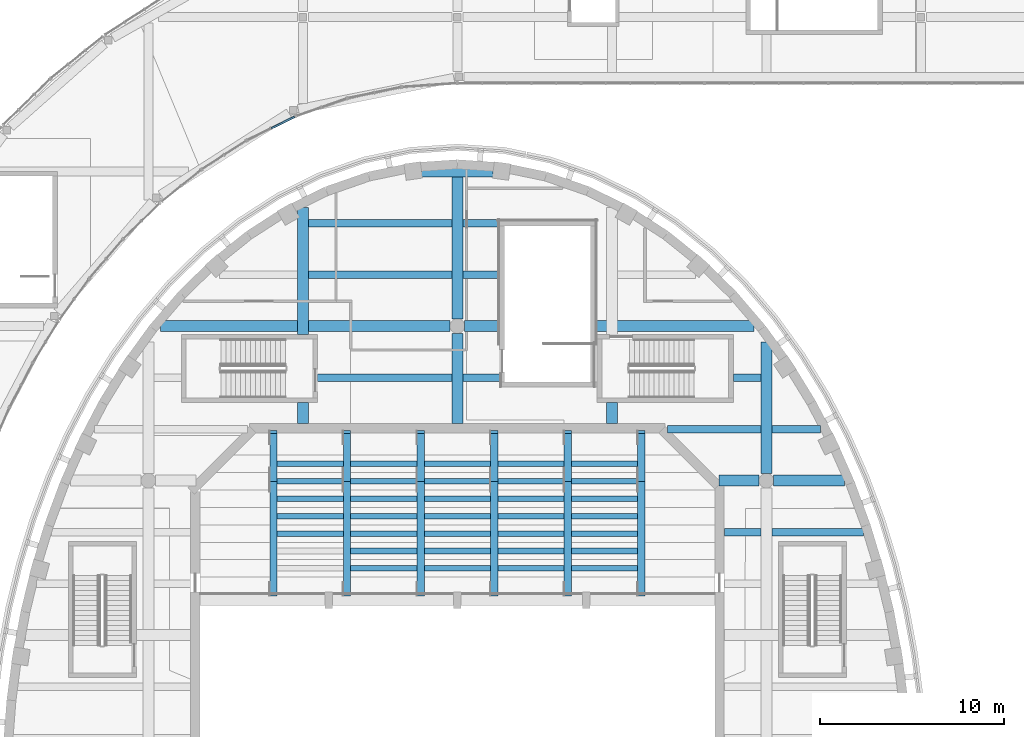
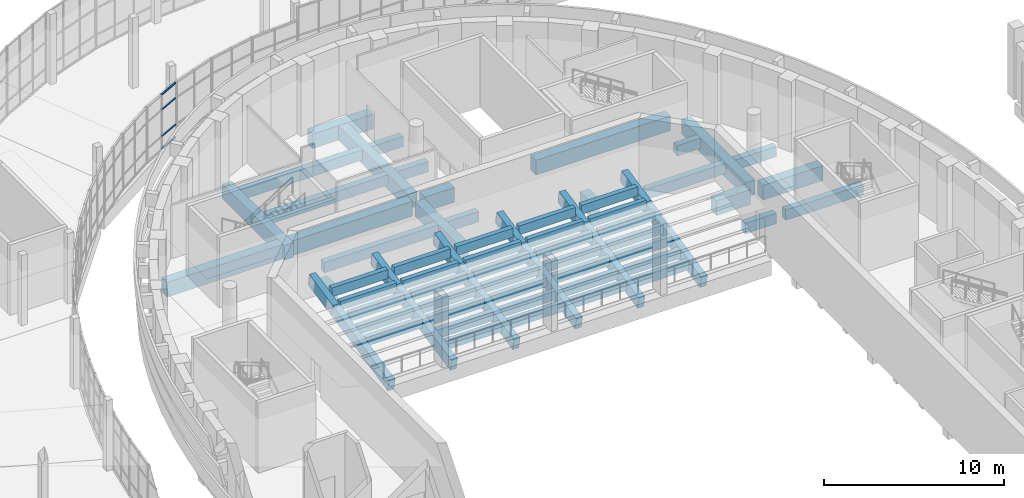
# One storey, part 22 of 103: 68 beams, 4 members, 1 element without a shape of its own.
"""IFC4 building model written with IfcOpenShell, lengths in metres."""

from ifc_helpers import new_model, si_unit, direction, frame, origin, origin_2d, place, context, subcontext, project, spatial, rectangle, extrude, material, layer, layer_set, material_profile, profile_set, type_object, element, aggregate, save


model = new_model("IFC4")

# Units and contexts
model_context = context("Model", 3, precision=1e-05, world=origin(), true_north=direction((0.0, 1.0)))
body_context = subcontext(model_context, "Body", "Model", "MODEL_VIEW")
ifc_project = project(units=[si_unit("LENGTHUNIT", "METRE"), si_unit("AREAUNIT", "SQUARE_METRE"), si_unit("VOLUMEUNIT", "CUBIC_METRE"), si_unit("PLANEANGLEUNIT", "RADIAN"), si_unit("MASSUNIT", "GRAM", prefix="KILO")], contexts=[model_context])

# Site, building, storey
site_placement = place(None, origin())
site = spatial("IfcSite", under=ifc_project, at=site_placement, CompositionType="ELEMENT")
building_placement = place(site_placement, origin())
building = spatial("IfcBuilding", under=site, at=building_placement, Name="Larchfold Concert Hall", CompositionType="ELEMENT")
storey_placement = place(building_placement, frame((0.0, 0.0, 9.60009765625)))
storey = spatial("IfcBuildingStorey", under=building, at=storey_placement, Name="L02", CompositionType="ELEMENT", Elevation=9.60009765625)

# Curtain wall, members
ifc_material_1 = material(Name="Anodised graphite aluminium curtain wall", Category="aluminium")
ifc_layer = layer(ifc_material_1, 0.14990234375)
ifc_layer_set = layer_set([ifc_layer], Name="Anodised graphite aluminium curtain wall")
curtain_wall_type = type_object("IfcCurtainWallType", Name="Curtain wall WG", PredefinedType="NOTDEFINED", material=ifc_layer_set)
curtain_wall_placement = place(storey_placement, origin())
curtain_wall = element("IfcCurtainWall", 1, at=curtain_wall_placement, inside=storey, type_object=curtain_wall_type, Name="Curtain wall CW0239", PredefinedType="NOTDEFINED")
ifc_material_2 = material(Name="Anodised graphite aluminium transom", Category="aluminium")
ifc_material_profile_1 = material_profile(ifc_material_2, rectangle(XDim=0.10009765625, YDim=0.080078125, at=origin_2d()))
ifc_profile_set_1 = profile_set([ifc_material_profile_1], Name="Anodised graphite aluminium transom")
member_type = type_object("IfcMemberType", Name="Aluminium transom 80x100", PredefinedType="USERDEFINED", material=ifc_profile_set_1)
member_1_placement = place(storey_placement, frame((32.492919921875, 120.564453125, 0.0400390625), z_axis=(0.896911011771, 0.442211077386, 0.0), x_axis=(-0.442211077386, 0.896911011771, 0.0)))
member_1 = element("IfcMember", 2, at=member_1_placement, type_object=member_type, Name="CW0239 transom 2.1", ObjectType="TRANSOM", PredefinedType="USERDEFINED", context=body_context, shape_type="SweptSolid", body=[
    extrude(rectangle(XDim=0.10009765625, YDim=0.080078125, at=origin_2d()), origin(), (0.0, 0.0, 1.0), 1.387939453125),
])
member_2_placement = place(storey_placement, frame((32.492919921875, 120.564453125, 0.89990234375), z_axis=(0.896911011771, 0.442211077386, 0.0), x_axis=(-0.442211077386, 0.896911011771, 0.0)))
member_2 = element("IfcMember", 3, at=member_2_placement, type_object=member_type, Name="CW0239 transom 2.2", ObjectType="TRANSOM", PredefinedType="USERDEFINED", context=body_context, shape_type="SweptSolid", body=[
    extrude(rectangle(XDim=0.10009765625, YDim=0.080078125, at=origin_2d()), origin(), (0.0, 0.0, 1.0), 1.387939453125),
])
member_3_placement = place(storey_placement, frame((32.492919921875, 120.564453125, 2.699951171875), z_axis=(0.896911011771, 0.442211077386, 0.0), x_axis=(-0.442211077386, 0.896911011771, 0.0)))
member_3 = element("IfcMember", 4, at=member_3_placement, type_object=member_type, Name="CW0239 transom 2.3", ObjectType="TRANSOM", PredefinedType="USERDEFINED", context=body_context, shape_type="SweptSolid", body=[
    extrude(rectangle(XDim=0.10009765625, YDim=0.080078125, at=origin_2d()), origin(), (0.0, 0.0, 1.0), 1.387939453125),
])
member_4_placement = place(storey_placement, frame((32.492919921875, 120.564453125, 3.7099609375), z_axis=(0.896911011771, 0.442211077386, 0.0), x_axis=(-0.442211077386, 0.896911011771, 0.0)))
member_4 = element("IfcMember", 5, at=member_4_placement, type_object=member_type, Name="CW0239 transom 2.4", ObjectType="TRANSOM", PredefinedType="USERDEFINED", context=body_context, shape_type="SweptSolid", body=[
    extrude(rectangle(XDim=0.10009765625, YDim=0.080078125, at=origin_2d()), origin(), (0.0, 0.0, 1.0), 1.387939453125),
])
aggregate(curtain_wall, [member_1, member_2, member_3, member_4])

# Beams
ifc_material_3 = material(Name="Concrete C35/45", Category="concrete")
ifc_material_profile_2 = material_profile(ifc_material_3, rectangle(XDim=0.300048828125, YDim=0.60009765625, at=origin_2d()))
ifc_profile_set_2 = profile_set([ifc_material_profile_2], Name="Concrete C35/45")
beam_type_1 = type_object("IfcBeamType", Name="Beam RC 300x600", PredefinedType="BEAM", material=ifc_profile_set_2)
for number, where, z_axis, x_axis, name in (
    (6, (36.800048828125, 96.625, -0.208984375), (1.0, 0.0, 0.0), (0.0, 1.0, 0.0), "Beam B1723"),
    (7, (40.800048828125, 96.625, -0.208984375), (1.0, 0.0, 0.0), (0.0, 1.0, 0.0), "Beam B1724"),
    (8, (44.800048828125, 96.625, -0.208984375), (1.0, 0.0, 0.0), (0.0, 1.0, 0.0), "Beam B1725"),
    (9, (48.800048828125, 96.625, -0.208984375), (1.0, 0.0, 0.0), (0.0, 1.0, 0.0), "Beam B1726"),
    (10, (36.800048828125, 97.5751953125, -0.01806640625), (1.0, 0.0, 0.0), (0.0, 1.0, 0.0), "Beam B1728"),
    (11, (40.800048828125, 97.5751953125, -0.01806640625), (1.0, 0.0, 0.0), (0.0, 1.0, 0.0), "Beam B1729"),
    (12, (44.800048828125, 97.5751953125, -0.01806640625), (1.0, 0.0, 0.0), (0.0, 1.0, 0.0), "Beam B1730"),
    (13, (48.800048828125, 97.5751953125, -0.01806640625), (1.0, 0.0, 0.0), (0.0, 1.0, 0.0), "Beam B1731"),
    (14, (32.800048828125, 98.52490234375, 0.302001953125), (1.0, 0.0, 0.0), (0.0, 1.0, 0.0), "Beam B1732"),
    (15, (36.800048828125, 98.52490234375, 0.302001953125), (1.0, 0.0, 0.0), (0.0, 1.0, 0.0), "Beam B1733"),
    (16, (40.800048828125, 98.52490234375, 0.302001953125), (1.0, 0.0, 0.0), (0.0, 1.0, 0.0), "Beam B1734"),
    (17, (44.800048828125, 98.52490234375, 0.302001953125), (1.0, 0.0, 0.0), (0.0, 1.0, 0.0), "Beam B1735"),
    (18, (48.800048828125, 98.52490234375, 0.302001953125), (1.0, 0.0, 0.0), (0.0, 1.0, 0.0), "Beam B1736"),
    (19, (32.800048828125, 99.47509765625, 0.491943359375), (1.0, 0.0, 0.0), (0.0, 1.0, 0.0), "Beam B1737"),
    (20, (36.800048828125, 99.47509765625, 0.491943359375), (1.0, 0.0, 0.0), (0.0, 1.0, 0.0), "Beam B1738"),
    (21, (40.800048828125, 99.47509765625, 0.491943359375), (1.0, 0.0, 0.0), (0.0, 1.0, 0.0), "Beam B1739"),
    (22, (44.800048828125, 99.47509765625, 0.491943359375), (1.0, 0.0, 0.0), (0.0, 1.0, 0.0), "Beam B1740"),
    (23, (48.800048828125, 99.47509765625, 0.491943359375), (1.0, 0.0, 0.0), (0.0, 1.0, 0.0), "Beam B1741"),
    (24, (32.800048828125, 100.4248046875, 0.82080078125), (1.0, 0.0, 0.0), (0.0, 1.0, 0.0), "Beam B1742"),
    (25, (36.800048828125, 100.4248046875, 0.82080078125), (1.0, 0.0, 0.0), (0.0, 1.0, 0.0), "Beam B1743"),
    (26, (40.800048828125, 100.4248046875, 0.82080078125), (1.0, 0.0, 0.0), (0.0, 1.0, 0.0), "Beam B1744"),
    (27, (44.800048828125, 100.4248046875, 0.82080078125), (1.0, 0.0, 0.0), (0.0, 1.0, 0.0), "Beam B1745"),
    (28, (48.800048828125, 100.4248046875, 0.82080078125), (1.0, 0.0, 0.0), (0.0, 1.0, 0.0), "Beam B1746"),
    (29, (32.800048828125, 101.375, 1.010986328125), (1.0, 0.0, 0.0), (0.0, 1.0, 0.0), "Beam B1747"),
    (30, (36.800048828125, 101.375, 1.010986328125), (1.0, 0.0, 0.0), (0.0, 1.0, 0.0), "Beam B1748"),
    (31, (40.800048828125, 101.375, 1.010986328125), (1.0, 0.0, 0.0), (0.0, 1.0, 0.0), "Beam B1749"),
    (32, (44.800048828125, 101.375, 1.010986328125), (1.0, 0.0, 0.0), (0.0, 1.0, 0.0), "Beam B1750"),
    (33, (48.800048828125, 101.375, 1.010986328125), (1.0, 0.0, 0.0), (0.0, 1.0, 0.0), "Beam B1751"),
    (34, (32.800048828125, 102.3251953125, 1.347900390625), (1.0, 0.0, 0.0), (0.0, 1.0, 0.0), "Beam B1752"),
    (35, (36.800048828125, 102.3251953125, 1.347900390625), (1.0, 0.0, 0.0), (0.0, 1.0, 0.0), "Beam B1753"),
    (36, (40.800048828125, 102.3251953125, 1.347900390625), (1.0, 0.0, 0.0), (0.0, 1.0, 0.0), "Beam B1754"),
    (37, (44.800048828125, 102.3251953125, 1.347900390625), (1.0, 0.0, 0.0), (0.0, 1.0, 0.0), "Beam B1755"),
    (38, (48.800048828125, 102.3251953125, 1.347900390625), (1.0, 0.0, 0.0), (0.0, 1.0, 0.0), "Beam B1756"),
):
    element("IfcBeam", number, at=place(storey_placement, frame(where, z_axis=z_axis, x_axis=x_axis)), inside=storey, type_object=beam_type_1, Name=name, PredefinedType="BEAM", context=body_context, shape_type="SweptSolid", body=[
        extrude(rectangle(XDim=0.300048828125, YDim=0.60009765625, at=origin_2d()), origin(), (0.0, 0.0, 1.0), 3.599853515625),
    ])
ifc_material_4 = material(Name="Concrete C35/45", Category="concrete")
ifc_material_profile_3 = material_profile(ifc_material_4, rectangle(XDim=0.39990234375, YDim=0.699951171875, at=origin_2d()))
ifc_profile_set_3 = profile_set([ifc_material_profile_3], Name="Concrete C35/45")
beam_type_2 = type_object("IfcBeamType", Name="Beam RC 400x700", PredefinedType="BEAM", material=ifc_profile_set_3)
beam_1_placement = place(storey_placement, frame((57.110107421875, 98.60009765625, -0.550048828125), z_axis=(1.0, 0.0, 0.0), x_axis=(0.0, 1.0, 0.0)))
element("IfcBeam", 39, at=beam_1_placement, inside=storey, type_object=beam_type_2, Name="Beam B1335", PredefinedType="BEAM", context=body_context, shape_type="SweptSolid", body=[
    extrude(rectangle(XDim=0.39990234375, YDim=0.699951171875, at=origin_2d()), origin(), (0.0, 0.0, 1.0), 1.989990234375),
])
beam_2_placement = place(storey_placement, frame((59.699951171875, 98.60009765625, -0.550048828125), z_axis=(1.0, 0.0, 0.0), x_axis=(0.0, 1.0, 0.0)))
element("IfcBeam", 40, at=beam_2_placement, inside=storey, type_object=beam_type_2, Name="Beam B1336", PredefinedType="BEAM", context=body_context, shape_type="SweptSolid", body=[
    extrude(rectangle(XDim=0.39990234375, YDim=0.699951171875, at=origin_2d()), origin(), (0.0, 0.0, 1.0), 4.9765625),
])
beam_3_placement = place(storey_placement, frame((54.01416015625, 104.199951171875, -0.550048828125), z_axis=(1.0, 0.0, 0.0), x_axis=(0.0, 1.0, 0.0)))
element("IfcBeam", 41, at=beam_3_placement, inside=storey, type_object=beam_type_2, Name="Beam B1339", PredefinedType="BEAM", context=body_context, shape_type="SweptSolid", body=[
    extrude(rectangle(XDim=0.39990234375, YDim=0.699951171875, at=origin_2d()), origin(), (0.0, 0.0, 1.0), 5.0859375),
])
beam_4_placement = place(storey_placement, frame((59.699951171875, 104.199951171875, -0.550048828125), z_axis=(1.0, 0.0, 0.0), x_axis=(0.0, 1.0, 0.0)))
element("IfcBeam", 42, at=beam_4_placement, inside=storey, type_object=beam_type_2, Name="Beam B1340", PredefinedType="BEAM", context=body_context, shape_type="SweptSolid", body=[
    extrude(rectangle(XDim=0.39990234375, YDim=0.699951171875, at=origin_2d()), origin(), (0.0, 0.0, 1.0), 2.639404296875),
])
beam_5_placement = place(storey_placement, frame((35.0, 107.0, -0.550048828125), z_axis=(1.0, 0.0, 0.0), x_axis=(0.0, 1.0, 0.0)))
element("IfcBeam", 43, at=beam_5_placement, inside=storey, type_object=beam_type_2, Name="Beam B1342", PredefinedType="BEAM", context=body_context, shape_type="SweptSolid", body=[
    extrude(rectangle(XDim=0.39990234375, YDim=0.699951171875, at=origin_2d()), origin(), (0.0, 0.0, 1.0), 7.300048828125),
])
beam_6_placement = place(storey_placement, frame((42.89990234375, 107.0, -0.550048828125), z_axis=(1.0, 0.0, 0.0), x_axis=(0.0, 1.0, 0.0)))
element("IfcBeam", 44, at=beam_6_placement, inside=storey, type_object=beam_type_2, Name="Beam B1343", PredefinedType="BEAM", context=body_context, shape_type="SweptSolid", body=[
    extrude(rectangle(XDim=0.39990234375, YDim=0.699951171875, at=origin_2d()), origin(), (0.0, 0.0, 1.0), 2.0),
])
beam_7_placement = place(storey_placement, frame((57.60009765625, 107.0, -0.550048828125), z_axis=(1.0, 0.0, 0.0), x_axis=(0.0, 1.0, 0.0)))
element("IfcBeam", 45, at=beam_7_placement, inside=storey, type_object=beam_type_2, Name="Beam B1344", PredefinedType="BEAM", context=body_context, shape_type="SweptSolid", body=[
    extrude(rectangle(XDim=0.39990234375, YDim=0.699951171875, at=origin_2d()), origin(), (0.0, 0.0, 1.0), 1.5),
])
beam_8_placement = place(storey_placement, frame((34.5, 112.60009765625, -0.550048828125), z_axis=(1.0, 0.0, 0.0), x_axis=(0.0, 1.0, 0.0)))
element("IfcBeam", 46, at=beam_8_placement, inside=storey, type_object=beam_type_2, Name="Beam B1346", PredefinedType="BEAM", context=body_context, shape_type="SweptSolid", body=[
    extrude(rectangle(XDim=0.39990234375, YDim=0.699951171875, at=origin_2d()), origin(), (0.0, 0.0, 1.0), 7.800048828125),
])
beam_9_placement = place(storey_placement, frame((42.89990234375, 112.60009765625, -0.550048828125), z_axis=(1.0, 0.0, 0.0), x_axis=(0.0, 1.0, 0.0)))
element("IfcBeam", 47, at=beam_9_placement, inside=storey, type_object=beam_type_2, Name="Beam B1347", PredefinedType="BEAM", context=body_context, shape_type="SweptSolid", body=[
    extrude(rectangle(XDim=0.39990234375, YDim=0.699951171875, at=origin_2d()), origin(), (0.0, 0.0, 1.0), 2.0),
])
beam_10_placement = place(storey_placement, frame((34.5, 115.39990234375, -0.550048828125), z_axis=(1.0, 0.0, 0.0), x_axis=(0.0, 1.0, 0.0)))
element("IfcBeam", 48, at=beam_10_placement, inside=storey, type_object=beam_type_2, Name="Beam B1349", PredefinedType="BEAM", context=body_context, shape_type="SweptSolid", body=[
    extrude(rectangle(XDim=0.39990234375, YDim=0.699951171875, at=origin_2d()), origin(), (0.0, 0.0, 1.0), 7.800048828125),
])
beam_11_placement = place(storey_placement, frame((42.89990234375, 115.39990234375, -0.550048828125), z_axis=(1.0, 0.0, 0.0), x_axis=(0.0, 1.0, 0.0)))
element("IfcBeam", 49, at=beam_11_placement, inside=storey, type_object=beam_type_2, Name="Beam B1350", PredefinedType="BEAM", context=body_context, shape_type="SweptSolid", body=[
    extrude(rectangle(XDim=0.39990234375, YDim=0.699951171875, at=origin_2d()), origin(), (0.0, 0.0, 1.0), 2.0),
])
ifc_material_5 = material(Name="Concrete C35/45", Category="concrete")
ifc_material_profile_4 = material_profile(ifc_material_5, rectangle(XDim=0.39990234375, YDim=0.800048828125, at=origin_2d()))
ifc_profile_set_4 = profile_set([ifc_material_profile_4], Name="Concrete C35/45")
beam_type_3 = type_object("IfcBeamType", Name="Beam RC 400x800", PredefinedType="BEAM", material=ifc_profile_set_4)
beam_12_placement = place(storey_placement, frame((32.60009765625, 95.199951171875, -0.6201171875), z_axis=(0.0, 0.978437717158, 0.206542086856), x_axis=(-1.0, 0.0, 0.0)))
element("IfcBeam", 50, at=beam_12_placement, inside=storey, type_object=beam_type_3, Name="Beam RK1710", PredefinedType="BEAM", context=body_context, shape_type="SweptSolid", body=[
    extrude(rectangle(XDim=0.39990234375, YDim=0.800048828125, at=origin_2d()), origin(), (0.0, 0.0, 1.0), 6.3876953125),
])
beam_13_placement = place(storey_placement, frame((32.60009765625, 101.449951171875, 0.69921875), z_axis=(0.0, 0.978459034642, 0.206441075196), x_axis=(-1.0, 0.0, 0.0)))
element("IfcBeam", 51, at=beam_13_placement, inside=storey, type_object=beam_type_3, Name="Beam RK1711", PredefinedType="BEAM", context=body_context, shape_type="SweptSolid", body=[
    extrude(rectangle(XDim=0.39990234375, YDim=0.800048828125, at=origin_2d()), origin(), (0.0, 0.0, 1.0), 2.6572265625),
])
beam_14_placement = place(storey_placement, frame((36.60009765625, 95.199951171875, -0.6201171875), z_axis=(0.0, 0.978437717158, 0.206542086856), x_axis=(-1.0, 0.0, 0.0)))
element("IfcBeam", 52, at=beam_14_placement, inside=storey, type_object=beam_type_3, Name="Beam RK1712", PredefinedType="BEAM", context=body_context, shape_type="SweptSolid", body=[
    extrude(rectangle(XDim=0.39990234375, YDim=0.800048828125, at=origin_2d()), origin(), (0.0, 0.0, 1.0), 6.3876953125),
])
beam_15_placement = place(storey_placement, frame((36.60009765625, 101.449951171875, 0.69921875), z_axis=(0.0, 0.978459034642, 0.206441075196), x_axis=(-1.0, 0.0, 0.0)))
element("IfcBeam", 53, at=beam_15_placement, inside=storey, type_object=beam_type_3, Name="Beam RK1713", PredefinedType="BEAM", context=body_context, shape_type="SweptSolid", body=[
    extrude(rectangle(XDim=0.39990234375, YDim=0.800048828125, at=origin_2d()), origin(), (0.0, 0.0, 1.0), 2.6572265625),
])
beam_16_placement = place(storey_placement, frame((40.60009765625, 95.199951171875, -0.6201171875), z_axis=(0.0, 0.978437717158, 0.206542086856), x_axis=(-1.0, 0.0, 0.0)))
element("IfcBeam", 54, at=beam_16_placement, inside=storey, type_object=beam_type_3, Name="Beam RK1714", PredefinedType="BEAM", context=body_context, shape_type="SweptSolid", body=[
    extrude(rectangle(XDim=0.39990234375, YDim=0.800048828125, at=origin_2d()), origin(), (0.0, 0.0, 1.0), 6.3876953125),
])
beam_17_placement = place(storey_placement, frame((40.60009765625, 101.449951171875, 0.69921875), z_axis=(0.0, 0.978459034642, 0.206441075196), x_axis=(-1.0, 0.0, 0.0)))
element("IfcBeam", 55, at=beam_17_placement, inside=storey, type_object=beam_type_3, Name="Beam RK1715", PredefinedType="BEAM", context=body_context, shape_type="SweptSolid", body=[
    extrude(rectangle(XDim=0.39990234375, YDim=0.800048828125, at=origin_2d()), origin(), (0.0, 0.0, 1.0), 2.6572265625),
])
beam_18_placement = place(storey_placement, frame((44.60009765625, 95.199951171875, -0.6201171875), z_axis=(0.0, 0.978437717158, 0.206542086856), x_axis=(-1.0, 0.0, 0.0)))
element("IfcBeam", 56, at=beam_18_placement, inside=storey, type_object=beam_type_3, Name="Beam RK1716", PredefinedType="BEAM", context=body_context, shape_type="SweptSolid", body=[
    extrude(rectangle(XDim=0.39990234375, YDim=0.800048828125, at=origin_2d()), origin(), (0.0, 0.0, 1.0), 6.3876953125),
])
beam_19_placement = place(storey_placement, frame((44.60009765625, 101.449951171875, 0.69921875), z_axis=(0.0, 0.978459034642, 0.206441075196), x_axis=(-1.0, 0.0, 0.0)))
element("IfcBeam", 57, at=beam_19_placement, inside=storey, type_object=beam_type_3, Name="Beam RK1717", PredefinedType="BEAM", context=body_context, shape_type="SweptSolid", body=[
    extrude(rectangle(XDim=0.39990234375, YDim=0.800048828125, at=origin_2d()), origin(), (0.0, 0.0, 1.0), 2.6572265625),
])
beam_20_placement = place(storey_placement, frame((48.60009765625, 95.199951171875, -0.6201171875), z_axis=(0.0, 0.978437717158, 0.206542086856), x_axis=(-1.0, 0.0, 0.0)))
element("IfcBeam", 58, at=beam_20_placement, inside=storey, type_object=beam_type_3, Name="Beam RK1718", PredefinedType="BEAM", context=body_context, shape_type="SweptSolid", body=[
    extrude(rectangle(XDim=0.39990234375, YDim=0.800048828125, at=origin_2d()), origin(), (0.0, 0.0, 1.0), 6.3876953125),
])
beam_21_placement = place(storey_placement, frame((48.60009765625, 101.449951171875, 0.69921875), z_axis=(0.0, 0.978459034642, 0.206441075196), x_axis=(-1.0, 0.0, 0.0)))
element("IfcBeam", 59, at=beam_21_placement, inside=storey, type_object=beam_type_3, Name="Beam RK1719", PredefinedType="BEAM", context=body_context, shape_type="SweptSolid", body=[
    extrude(rectangle(XDim=0.39990234375, YDim=0.800048828125, at=origin_2d()), origin(), (0.0, 0.0, 1.0), 2.6572265625),
])
beam_22_placement = place(storey_placement, frame((52.60009765625, 95.199951171875, -0.6201171875), z_axis=(0.0, 0.978437717158, 0.206542086856), x_axis=(-1.0, 0.0, 0.0)))
element("IfcBeam", 60, at=beam_22_placement, inside=storey, type_object=beam_type_3, Name="Beam RK1720", PredefinedType="BEAM", context=body_context, shape_type="SweptSolid", body=[
    extrude(rectangle(XDim=0.39990234375, YDim=0.800048828125, at=origin_2d()), origin(), (0.0, 0.0, 1.0), 6.3876953125),
])
beam_23_placement = place(storey_placement, frame((52.60009765625, 101.449951171875, 0.69921875), z_axis=(0.0, 0.978459034642, 0.206441075196), x_axis=(-1.0, 0.0, 0.0)))
element("IfcBeam", 61, at=beam_23_placement, inside=storey, type_object=beam_type_3, Name="Beam RK1721", PredefinedType="BEAM", context=body_context, shape_type="SweptSolid", body=[
    extrude(rectangle(XDim=0.39990234375, YDim=0.800048828125, at=origin_2d()), origin(), (0.0, 0.0, 1.0), 2.6572265625),
])
ifc_material_6 = material(Name="Concrete C35/45", Category="concrete")
ifc_material_profile_5 = material_profile(ifc_material_6, rectangle(XDim=0.60009765625, YDim=1.0, at=origin_2d()))
ifc_profile_set_5 = profile_set([ifc_material_profile_5], Name="Concrete C35/45")
beam_type_4 = type_object("IfcBeamType", Name="Beam RC 600x1000", PredefinedType="BEAM", material=ifc_profile_set_5)
beam_24_placement = place(storey_placement, frame((34.199951171875, 104.510009765625, -0.7001953125), z_axis=(0.0, 1.0, 0.0), x_axis=(-1.0, 0.0, 0.0)))
element("IfcBeam", 62, at=beam_24_placement, inside=storey, type_object=beam_type_4, Name="Beam B1271", PredefinedType="BEAM", context=body_context, shape_type="SweptSolid", body=[
    extrude(rectangle(XDim=0.60009765625, YDim=1.0, at=origin_2d()), origin(), (0.0, 0.0, 1.0), 1.139892578125),
])
beam_25_placement = place(storey_placement, frame((34.199951171875, 109.35009765625, -0.7001953125), z_axis=(0.0, 1.0, 0.0), x_axis=(-1.0, 0.0, 0.0)))
element("IfcBeam", 63, at=beam_25_placement, inside=storey, type_object=beam_type_4, Name="Beam B1272", PredefinedType="BEAM", context=body_context, shape_type="SweptSolid", body=[
    extrude(rectangle(XDim=0.60009765625, YDim=1.0, at=origin_2d()), origin(), (0.0, 0.0, 1.0), 6.893798828125),
])
beam_26_placement = place(storey_placement, frame((42.60009765625, 104.510009765625, -0.7001953125), z_axis=(0.0, 1.0, 0.0), x_axis=(-1.0, 0.0, 0.0)))
element("IfcBeam", 64, at=beam_26_placement, inside=storey, type_object=beam_type_4, Name="Beam B1273", PredefinedType="BEAM", context=body_context, shape_type="SweptSolid", body=[
    extrude(rectangle(XDim=0.60009765625, YDim=1.0, at=origin_2d()), origin(), (0.0, 0.0, 1.0), 4.8916015625),
])
beam_27_placement = place(storey_placement, frame((42.60009765625, 110.1982421875, -0.7001953125), z_axis=(0.0, 1.0, 0.0), x_axis=(-1.0, 0.0, 0.0)))
element("IfcBeam", 65, at=beam_27_placement, inside=storey, type_object=beam_type_4, Name="Beam B1274", PredefinedType="BEAM", context=body_context, shape_type="SweptSolid", body=[
    extrude(rectangle(XDim=0.60009765625, YDim=1.0, at=origin_2d()), origin(), (0.0, 0.0, 1.0), 8.17138671875),
])
beam_28_placement = place(storey_placement, frame((51.0, 104.510009765625, -0.7001953125), z_axis=(0.0, 1.0, 0.0), x_axis=(-1.0, 0.0, 0.0)))
element("IfcBeam", 66, at=beam_28_placement, inside=storey, type_object=beam_type_4, Name="Beam B1275", PredefinedType="BEAM", context=body_context, shape_type="SweptSolid", body=[
    extrude(rectangle(XDim=0.60009765625, YDim=1.0, at=origin_2d()), origin(), (0.0, 0.0, 1.0), 1.139892578125),
])
beam_29_placement = place(storey_placement, frame((59.39990234375, 101.79833984375, -0.7001953125), z_axis=(0.0, 1.0, 0.0), x_axis=(-1.0, 0.0, 0.0)))
element("IfcBeam", 67, at=beam_29_placement, inside=storey, type_object=beam_type_4, Name="Beam B1280", PredefinedType="BEAM", context=body_context, shape_type="SweptSolid", body=[
    extrude(rectangle(XDim=0.60009765625, YDim=1.0, at=origin_2d()), origin(), (0.0, 0.0, 1.0), 7.134765625),
])
beam_30_placement = place(storey_placement, frame((56.814208984375, 101.39990234375, -0.7001953125), z_axis=(1.0, 0.0, 0.0), x_axis=(0.0, 1.0, 0.0)))
element("IfcBeam", 68, at=beam_30_placement, inside=storey, type_object=beam_type_4, Name="Beam B1297", PredefinedType="BEAM", context=body_context, shape_type="SweptSolid", body=[
    extrude(rectangle(XDim=0.60009765625, YDim=1.0, at=origin_2d()), origin(), (0.0, 0.0, 1.0), 2.1875),
])
beam_31_placement = place(storey_placement, frame((59.79833984375, 101.39990234375, -0.7001953125), z_axis=(1.0, 0.0, 0.0), x_axis=(0.0, 1.0, 0.0)))
element("IfcBeam", 69, at=beam_31_placement, inside=storey, type_object=beam_type_4, Name="Beam B1298", PredefinedType="BEAM", context=body_context, shape_type="SweptSolid", body=[
    extrude(rectangle(XDim=0.60009765625, YDim=1.0, at=origin_2d()), origin(), (0.0, 0.0, 1.0), 3.844970703125),
])
beam_32_placement = place(storey_placement, frame((26.464111328125, 109.800048828125, -0.7001953125), z_axis=(1.0, 0.0, 0.0), x_axis=(0.0, 1.0, 0.0)))
element("IfcBeam", 70, at=beam_32_placement, inside=storey, type_object=beam_type_4, Name="Beam B1299", PredefinedType="BEAM", context=body_context, shape_type="SweptSolid", body=[
    extrude(rectangle(XDim=0.60009765625, YDim=1.0, at=origin_2d()), origin(), (0.0, 0.0, 1.0), 15.737548828125),
])
beam_33_placement = place(storey_placement, frame((42.998291015625, 109.800048828125, -0.7001953125), z_axis=(1.0, 0.0, 0.0), x_axis=(0.0, 1.0, 0.0)))
element("IfcBeam", 71, at=beam_33_placement, inside=storey, type_object=beam_type_4, Name="Beam B1300", PredefinedType="BEAM", context=body_context, shape_type="SweptSolid", body=[
    extrude(rectangle(XDim=0.60009765625, YDim=1.0, at=origin_2d()), origin(), (0.0, 0.0, 1.0), 1.901611328125),
])
beam_34_placement = place(storey_placement, frame((50.10009765625, 109.800048828125, -0.7001953125), z_axis=(1.0, 0.0, 0.0), x_axis=(0.0, 1.0, 0.0)))
element("IfcBeam", 72, at=beam_34_placement, inside=storey, type_object=beam_type_4, Name="Beam B1301", PredefinedType="BEAM", context=body_context, shape_type="SweptSolid", body=[
    extrude(rectangle(XDim=0.60009765625, YDim=1.0, at=origin_2d()), origin(), (0.0, 0.0, 1.0), 8.635986328125),
])
beam_35_placement = place(storey_placement, frame((40.659912109375, 118.199951171875, -0.7001953125), z_axis=(1.0, 0.0, 0.0), x_axis=(0.0, 1.0, 0.0)))
element("IfcBeam", 73, at=beam_35_placement, inside=storey, type_object=beam_type_4, Name="Beam B1302", PredefinedType="BEAM", context=body_context, shape_type="SweptSolid", body=[
    extrude(rectangle(XDim=0.60009765625, YDim=1.0, at=origin_2d()), origin(), (0.0, 0.0, 1.0), 3.88037109375),
])

save(model, "model.ifc")
